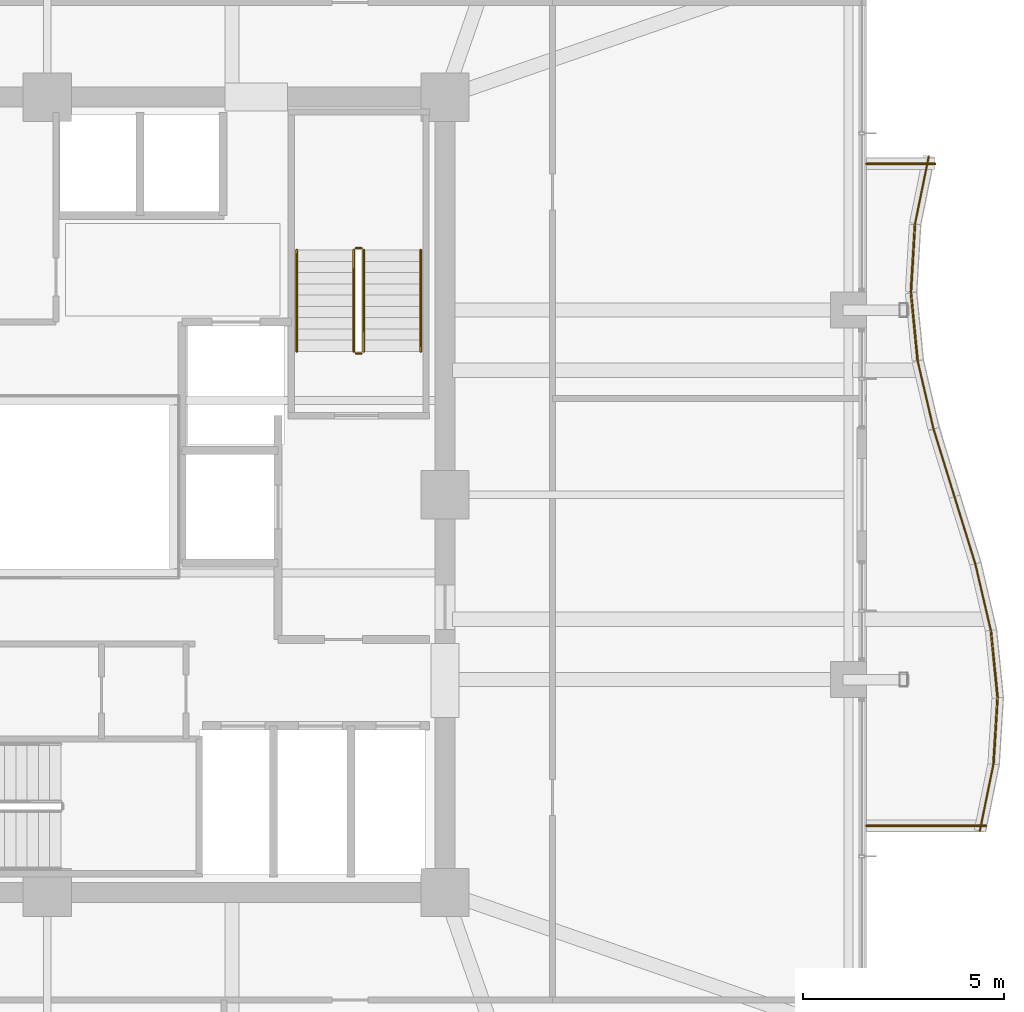
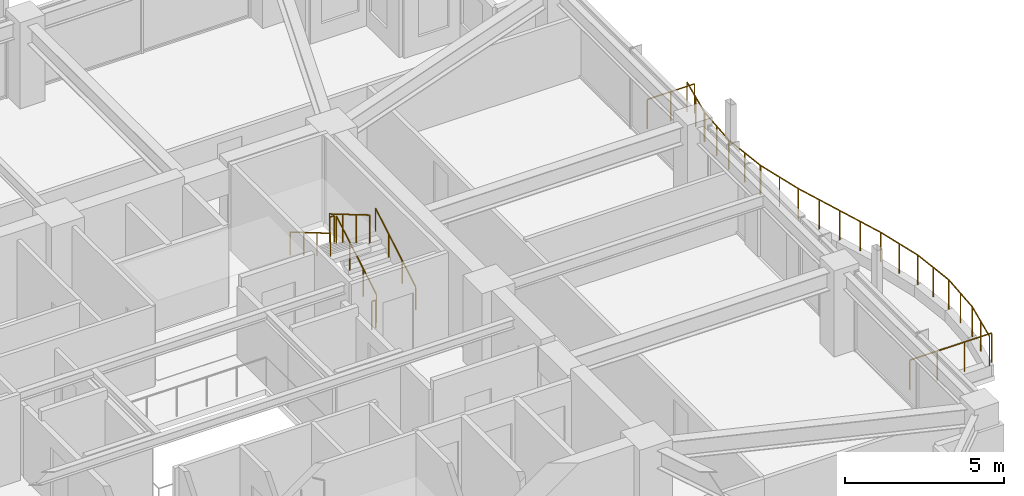
# One storey, part 35 of 35: 18 railings.
"""IFC4 building model written with IfcOpenShell, lengths in metres."""

from ifc_helpers import new_model, si_unit, direction, frame, origin, origin_2d, place, context, subcontext, project, spatial, circle, extrude, material, type_object, element, save


model = new_model("IFC4")

# Units and contexts
model_context = context("Model", 3, precision=1e-05, world=origin(), true_north=direction((0.0, 1.0)))
body_context = subcontext(model_context, "Body", "Model", "MODEL_VIEW")
ifc_project = project(units=[si_unit("LENGTHUNIT", "METRE"), si_unit("AREAUNIT", "SQUARE_METRE"), si_unit("VOLUMEUNIT", "CUBIC_METRE"), si_unit("PLANEANGLEUNIT", "RADIAN"), si_unit("MASSUNIT", "GRAM", prefix="KILO")], contexts=[model_context])

# Site, building, storey
site_placement = place(None, origin())
site = spatial("IfcSite", under=ifc_project, at=site_placement, CompositionType="ELEMENT")
building_placement = place(site_placement, origin())
building = spatial("IfcBuilding", under=site, at=building_placement, Name="Kolvaren Belvedere", CompositionType="ELEMENT")
storey_placement = place(building_placement, frame((0.0, 0.0, 183.300048828125)))
storey = spatial("IfcBuildingStorey", under=building, at=storey_placement, Name="L53", CompositionType="ELEMENT", Elevation=183.300048828125)

# Railings
ifc_material_1 = material(Name="Anodised pale-metal aluminium & laminated glass guard", Category="aluminium")
railing_type_1 = type_object("IfcRailingType", Name="RL-GUARD-1150", PredefinedType="GUARDRAIL", material=ifc_material_1)
railing_1_placement = place(storey_placement, frame((23.218017578125, -8.367919921875, 0.3798828125)))
element("IfcRailing", 1, at=railing_1_placement, inside=storey, type_object=railing_type_1, Name="L53 Exterior Deck Safety Guard BAL-E-1", PredefinedType="GUARDRAIL", context=body_context, shape_type="SweptSolid", body=[
    extrude(circle(Radius=0.02392578125, at=origin_2d()), frame((0.0, 0.0, 1.1259765625), z_axis=(0.199647526069, 0.979867779516, 0.0), x_axis=(-0.979867779516, 0.199647526069, 0.0)), (0.0, 0.0, 1.0), 1.71435546875),
    extrude(circle(Radius=0.02099609375, at=origin_2d()), origin(), (0.0, 0.0, 1.0), 1.101806640625),
    extrude(circle(Radius=0.02099609375, at=origin_2d()), frame((0.171142578125, 0.83984375, 0.0)), (0.0, 0.0, 1.0), 1.101806640625),
    extrude(circle(Radius=0.02099609375, at=origin_2d()), frame((0.34228515625, 1.679931640625, 0.0)), (0.0, 0.0, 1.0), 1.101806640625),
])
railing_2_placement = place(storey_placement, frame((23.5576171875, -6.710205078125, 0.3798828125)))
element("IfcRailing", 2, at=railing_2_placement, inside=storey, type_object=railing_type_1, Name="L53 Exterior Deck Safety Guard BAL-E-2", PredefinedType="GUARDRAIL", context=body_context, shape_type="SweptSolid", body=[
    extrude(circle(Radius=0.02392578125, at=origin_2d()), frame((0.0, 0.0, 1.1259765625), z_axis=(0.061068773295, 0.998133560666, 0.0), x_axis=(-0.998133560666, 0.061068773295, 0.0)), (0.0, 0.0, 1.0), 1.68310546875),
    extrude(circle(Radius=0.02099609375, at=origin_2d()), origin(), (0.0, 0.0, 1.0), 1.101806640625),
    extrude(circle(Radius=0.02099609375, at=origin_2d()), frame((0.05126953125, 0.83984375, 0.0)), (0.0, 0.0, 1.0), 1.101806640625),
    extrude(circle(Radius=0.02099609375, at=origin_2d()), frame((0.102783203125, 1.679931640625, 0.0)), (0.0, 0.0, 1.0), 1.101806640625),
])
railing_3_placement = place(storey_placement, frame((23.660888671875, -5.055908203125, 0.3798828125)))
element("IfcRailing", 3, at=railing_3_placement, inside=storey, type_object=railing_type_1, Name="L53 Exterior Deck Safety Guard BAL-E-3", PredefinedType="GUARDRAIL", context=body_context, shape_type="SweptSolid", body=[
    extrude(circle(Radius=0.02392578125, at=origin_2d()), frame((0.0, 0.0, 1.1259765625), z_axis=(-0.099632573776, 0.995024296308, 0.0), x_axis=(-0.995024296308, -0.099632573776, 0.0)), (0.0, 0.0, 1.0), 1.688232421875),
    extrude(circle(Radius=0.02099609375, at=origin_2d()), origin(), (0.0, 0.0, 1.0), 1.101806640625),
    extrude(circle(Radius=0.02099609375, at=origin_2d()), frame((-0.083984375, 0.83984375, 0.0)), (0.0, 0.0, 1.0), 1.101806640625),
    extrude(circle(Radius=0.02099609375, at=origin_2d()), frame((-0.168212890625, 1.679931640625, 0.0)), (0.0, 0.0, 1.0), 1.101806640625),
])
railing_4_placement = place(storey_placement, frame((23.49609375, -3.396240234375, 0.3798828125)))
element("IfcRailing", 4, at=railing_4_placement, inside=storey, type_object=railing_type_1, Name="L53 Exterior Deck Safety Guard BAL-E-4", PredefinedType="GUARDRAIL", context=body_context, shape_type="SweptSolid", body=[
    extrude(circle(Radius=0.02392578125, at=origin_2d()), frame((0.0, 0.0, 1.1259765625), z_axis=(-0.227019323824, 0.973890253884, 0.0), x_axis=(-0.973890253884, -0.227019323824, 0.0)), (0.0, 0.0, 1.0), 1.724853515625),
    extrude(circle(Radius=0.02099609375, at=origin_2d()), origin(), (0.0, 0.0, 1.0), 1.101806640625),
    extrude(circle(Radius=0.02099609375, at=origin_2d()), frame((-0.19580078125, 0.83984375, 0.0)), (0.0, 0.0, 1.0), 1.101806640625),
    extrude(circle(Radius=0.02099609375, at=origin_2d()), frame((-0.3916015625, 1.679931640625, 0.0)), (0.0, 0.0, 1.0), 1.101806640625),
])
railing_5_placement = place(storey_placement, frame((23.107421875, -1.727294921875, 0.3798828125)))
element("IfcRailing", 5, at=railing_5_placement, inside=storey, type_object=railing_type_1, Name="L53 Exterior Deck Safety Guard BAL-E-5", PredefinedType="GUARDRAIL", context=body_context, shape_type="SweptSolid", body=[
    extrude(circle(Radius=0.02392578125, at=origin_2d()), frame((0.0, 0.0, 1.1259765625), z_axis=(-0.295831524561, 0.95524013163, 0.0), x_axis=(-0.95524013163, -0.295831524561, 0.0)), (0.0, 0.0, 1.0), 1.758544921875),
    extrude(circle(Radius=0.02099609375, at=origin_2d()), origin(), (0.0, 0.0, 1.0), 1.101806640625),
    extrude(circle(Radius=0.02099609375, at=origin_2d()), frame((-0.26025390625, 0.83984375, 0.0)), (0.0, 0.0, 1.0), 1.101806640625),
    extrude(circle(Radius=0.02099609375, at=origin_2d()), frame((-0.520263671875, 1.679931640625, 0.0)), (0.0, 0.0, 1.0), 1.101806640625),
])
railing_6_placement = place(storey_placement, frame((22.587158203125, -0.04736328125, 0.3798828125)))
element("IfcRailing", 6, at=railing_6_placement, inside=storey, type_object=railing_type_1, Name="L53 Exterior Deck Safety Guard BAL-E-6", PredefinedType="GUARDRAIL", context=body_context, shape_type="SweptSolid", body=[
    extrude(circle(Radius=0.02392578125, at=origin_2d()), frame((0.0, 0.0, 1.1259765625), z_axis=(-0.29579229954, 0.955252278476, 0.0), x_axis=(-0.955252278476, -0.29579229954, 0.0)), (0.0, 0.0, 1.0), 1.7587890625),
    extrude(circle(Radius=0.02099609375, at=origin_2d()), origin(), (0.0, 0.0, 1.0), 1.101806640625),
    extrude(circle(Radius=0.02099609375, at=origin_2d()), frame((-0.26025390625, 0.840087890625, 0.0)), (0.0, 0.0, 1.0), 1.101806640625),
    extrude(circle(Radius=0.02099609375, at=origin_2d()), frame((-0.520263671875, 1.68017578125, 0.0)), (0.0, 0.0, 1.0), 1.101806640625),
])
railing_7_placement = place(storey_placement, frame((22.06396484375, 1.643798828125, 0.3798828125)))
element("IfcRailing", 7, at=railing_7_placement, inside=storey, type_object=railing_type_1, Name="L53 Exterior Deck Safety Guard BAL-E-7", PredefinedType="GUARDRAIL", context=body_context, shape_type="SweptSolid", body=[
    extrude(circle(Radius=0.02392578125, at=origin_2d()), frame((0.0, 0.0, 1.1259765625), z_axis=(-0.227019323824, 0.973890253884, 0.0), x_axis=(-0.973890253884, -0.227019323824, 0.0)), (0.0, 0.0, 1.0), 1.724853515625),
    extrude(circle(Radius=0.02099609375, at=origin_2d()), origin(), (0.0, 0.0, 1.0), 1.101806640625),
    extrude(circle(Radius=0.02099609375, at=origin_2d()), frame((-0.19580078125, 0.83984375, 0.0)), (0.0, 0.0, 1.0), 1.101806640625),
    extrude(circle(Radius=0.02099609375, at=origin_2d()), frame((-0.3916015625, 1.679931640625, 0.0)), (0.0, 0.0, 1.0), 1.101806640625),
])
railing_8_placement = place(storey_placement, frame((21.6689453125, 3.34423828125, 0.3798828125)))
element("IfcRailing", 8, at=railing_8_placement, inside=storey, type_object=railing_type_1, Name="L53 Exterior Deck Safety Guard BAL-E-8", PredefinedType="GUARDRAIL", context=body_context, shape_type="SweptSolid", body=[
    extrude(circle(Radius=0.02392578125, at=origin_2d()), frame((0.0, 0.0, 1.1259765625), z_axis=(-0.098329649867, 0.995153897624, 0.0), x_axis=(-0.995153897624, -0.098329649867, 0.0)), (0.0, 0.0, 1.0), 1.6884765625),
    extrude(circle(Radius=0.02099609375, at=origin_2d()), origin(), (0.0, 0.0, 1.0), 1.101806640625),
    extrude(circle(Radius=0.02099609375, at=origin_2d()), frame((-0.0830078125, 0.840087890625, 0.0)), (0.0, 0.0, 1.0), 1.101806640625),
    extrude(circle(Radius=0.02099609375, at=origin_2d()), frame((-0.166015625, 1.68017578125, 0.0)), (0.0, 0.0, 1.0), 1.101806640625),
])
railing_9_placement = place(storey_placement, frame((21.50244140625, 5.049560546875, 0.3798828125)))
element("IfcRailing", 9, at=railing_9_placement, inside=storey, type_object=railing_type_1, Name="L53 Exterior Deck Safety Guard BAL-E-9", PredefinedType="GUARDRAIL", context=body_context, shape_type="SweptSolid", body=[
    extrude(circle(Radius=0.02392578125, at=origin_2d()), frame((0.0, 0.0, 1.1259765625), z_axis=(0.059767979379, 0.998212296378, 0.0), x_axis=(-0.998212296378, 0.059767979379, 0.0)), (0.0, 0.0, 1.0), 1.682861328125),
    extrude(circle(Radius=0.02099609375, at=origin_2d()), origin(), (0.0, 0.0, 1.0), 1.101806640625),
    extrude(circle(Radius=0.02099609375, at=origin_2d()), frame((0.05029296875, 0.83984375, 0.0)), (0.0, 0.0, 1.0), 1.101806640625),
    extrude(circle(Radius=0.02099609375, at=origin_2d()), frame((0.1005859375, 1.679931640625, 0.0)), (0.0, 0.0, 1.0), 1.101806640625),
])
railing_10_placement = place(storey_placement, frame((21.60595703125, 6.751953125, 0.3798828125)))
element("IfcRailing", 10, at=railing_10_placement, inside=storey, type_object=railing_type_1, Name="L53 Exterior Deck Safety Guard BAL-E-10", PredefinedType="GUARDRAIL", context=body_context, shape_type="SweptSolid", body=[
    extrude(circle(Radius=0.02392578125, at=origin_2d()), frame((0.0, 0.0, 1.1259765625), z_axis=(0.199784246163, 0.979839912937, 0.0), x_axis=(-0.979839912937, 0.199784246163, 0.0)), (0.0, 0.0, 1.0), 1.714599609375),
    extrude(circle(Radius=0.02099609375, at=origin_2d()), origin(), (0.0, 0.0, 1.0), 1.101806640625),
    extrude(circle(Radius=0.02099609375, at=origin_2d()), frame((0.17138671875, 0.83984375, 0.0)), (0.0, 0.0, 1.0), 1.101806640625),
    extrude(circle(Radius=0.02099609375, at=origin_2d()), frame((0.342529296875, 1.679931640625, 0.0)), (0.0, 0.0, 1.0), 1.101806640625),
])
railing_11_placement = place(storey_placement, frame((22.105224609375, 8.239990234375, 0.3798828125)))
element("IfcRailing", 11, at=railing_11_placement, inside=storey, type_object=railing_type_1, Name="L53 Exterior Deck Safety Guard BAL-E-11", PredefinedType="GUARDRAIL", context=body_context, shape_type="SweptSolid", body=[
    extrude(circle(Radius=0.02392578125, at=origin_2d()), frame((0.0, 0.0, 1.1259765625), z_axis=(-1.0, 0.0, 0.0), x_axis=(0.0, -1.0, 0.0)), (0.0, 0.0, 1.0), 1.705322265625),
    extrude(circle(Radius=0.02099609375, at=origin_2d()), origin(), (0.0, 0.0, 1.0), 1.101806640625),
    extrude(circle(Radius=0.02099609375, at=origin_2d()), frame((-0.8525390625, 0.0, 0.0)), (0.0, 0.0, 1.0), 1.101806640625),
    extrude(circle(Radius=0.02099609375, at=origin_2d()), frame((-1.705322265625, 0.0, 0.0)), (0.0, 0.0, 1.0), 1.101806640625),
])
railing_12_placement = place(storey_placement, frame((20.39990234375, -8.239990234375, 0.3798828125)))
element("IfcRailing", 12, at=railing_12_placement, inside=storey, type_object=railing_type_1, Name="L53 Exterior Deck Safety Guard BAL-E-22", PredefinedType="GUARDRAIL", context=body_context, shape_type="SweptSolid", body=[
    extrude(circle(Radius=0.02392578125, at=origin_2d()), frame((0.0, 0.0, 1.1259765625), z_axis=(1.0, 0.0, 0.0), x_axis=(0.0, 1.0, 0.0)), (0.0, 0.0, 1.0), 2.974853515625),
    extrude(circle(Radius=0.02099609375, at=origin_2d()), origin(), (0.0, 0.0, 1.0), 1.101806640625),
    extrude(circle(Radius=0.02099609375, at=origin_2d()), frame((0.99169921875, 0.0, 0.0)), (0.0, 0.0, 1.0), 1.101806640625),
    extrude(circle(Radius=0.02099609375, at=origin_2d()), frame((1.983154296875, 0.0, 0.0)), (0.0, 0.0, 1.0), 1.101806640625),
    extrude(circle(Radius=0.02099609375, at=origin_2d()), frame((2.974853515625, 0.0, 0.0)), (0.0, 0.0, 1.0), 1.101806640625),
])
ifc_material_2 = material(Name="Brushed stainless-steel handrail", Category="steel")
railing_type_2 = type_object("IfcRailingType", Name="RL-HANDRAIL-920", PredefinedType="HANDRAIL", material=ifc_material_2)
railing_13_placement = place(storey_placement, frame((9.300048828125, 3.570068359375, 0.1650390625)))
element("IfcRailing", 13, at=railing_13_placement, inside=storey, type_object=railing_type_2, Name="L53 ST-2 stair handrail 1", PredefinedType="HANDRAIL", context=body_context, shape_type="SweptSolid", body=[
    extrude(circle(Radius=0.02392578125, at=origin_2d()), frame((0.0, 0.0, 0.8759765625), z_axis=(0.0, 0.861560626758, 0.507654692109), x_axis=(-1.0, 0.0, 0.0)), (0.0, 0.0, 1.0), 2.925048828125),
    extrude(circle(Radius=0.02099609375, at=origin_2d()), origin(), (0.0, 0.0, 1.0), 0.851806640625),
    extrude(circle(Radius=0.02099609375, at=origin_2d()), frame((0.0, 0.840087890625, 0.494873046875)), (0.0, 0.0, 1.0), 0.851806640625),
    extrude(circle(Radius=0.02099609375, at=origin_2d()), frame((0.0, 1.679931640625, 0.989990234375)), (0.0, 0.0, 1.0), 0.851806640625),
    extrude(circle(Radius=0.02099609375, at=origin_2d()), frame((0.0, 2.52001953125, 1.48486328125)), (0.0, 0.0, 1.0), 0.851806640625),
])
railing_14_placement = place(storey_placement, frame((6.2099609375, 6.090087890625, 1.81494140625)))
element("IfcRailing", 14, at=railing_14_placement, inside=storey, type_object=railing_type_2, Name="L53 ST-2 stair handrail 2", PredefinedType="HANDRAIL", context=body_context, shape_type="SweptSolid", body=[
    extrude(circle(Radius=0.02392578125, at=origin_2d()), frame((0.0, 0.0, 0.8759765625), z_axis=(0.0, -0.86152411907, 0.507716645641), x_axis=(1.0, 0.0, 0.0)), (0.0, 0.0, 1.0), 2.925048828125),
    extrude(circle(Radius=0.02099609375, at=origin_2d()), origin(), (0.0, 0.0, 1.0), 0.851806640625),
    extrude(circle(Radius=0.02099609375, at=origin_2d()), frame((0.0, -0.840087890625, 0.4951171875)), (0.0, 0.0, 1.0), 0.851806640625),
    extrude(circle(Radius=0.02099609375, at=origin_2d()), frame((0.0, -1.679931640625, 0.989990234375)), (0.0, 0.0, 1.0), 0.851806640625),
    extrude(circle(Radius=0.02099609375, at=origin_2d()), frame((0.0, -2.52001953125, 1.485107421875)), (0.0, 0.0, 1.0), 0.851806640625),
])
ifc_material_3 = material(Name="Painted tubular steel stair guard", Category="steel")
railing_type_3 = type_object("IfcRailingType", Name="RL-STGUARD-1100", PredefinedType="GUARDRAIL", material=ifc_material_3)
railing_15_placement = place(storey_placement, frame((7.8798828125, 3.570068359375, 0.1650390625)))
element("IfcRailing", 15, at=railing_15_placement, inside=storey, type_object=railing_type_3, Name="L53 ST-2 stair guard 1", PredefinedType="GUARDRAIL", context=body_context, shape_type="SweptSolid", body=[
    extrude(circle(Radius=0.02392578125, at=origin_2d()), frame((0.0, 0.0, 1.076171875), z_axis=(0.0, 0.861560626758, 0.507654692109), x_axis=(-1.0, 0.0, 0.0)), (0.0, 0.0, 1.0), 2.925048828125),
    extrude(circle(Radius=0.02099609375, at=origin_2d()), origin(), (0.0, 0.0, 1.0), 1.052001953125),
    extrude(circle(Radius=0.02099609375, at=origin_2d()), frame((0.0, 0.840087890625, 0.494873046875)), (0.0, 0.0, 1.0), 1.052001953125),
    extrude(circle(Radius=0.02099609375, at=origin_2d()), frame((0.0, 1.679931640625, 0.989990234375)), (0.0, 0.0, 1.0), 1.052001953125),
    extrude(circle(Radius=0.02099609375, at=origin_2d()), frame((0.0, 2.52001953125, 1.48486328125)), (0.0, 0.0, 1.0), 1.052001953125),
])
railing_16_placement = place(storey_placement, frame((7.830078125, 6.139892578125, 1.64990234375)))
element("IfcRailing", 16, at=railing_16_placement, inside=storey, type_object=railing_type_3, Name="L53 ST-2 stair guard 2", PredefinedType="GUARDRAIL", context=body_context, shape_type="SweptSolid", body=[
    extrude(circle(Radius=0.02392578125, at=origin_2d()), frame((0.0, 0.0, 1.076171875), z_axis=(-1.0, 0.0, 0.0), x_axis=(0.0, -1.0, 0.0)), (0.0, 0.0, 1.0), 0.150146484375),
    extrude(circle(Radius=0.02099609375, at=origin_2d()), origin(), (0.0, 0.0, 1.0), 1.052001953125),
    extrude(circle(Radius=0.02099609375, at=origin_2d()), frame((-0.150146484375, 0.0, 0.0)), (0.0, 0.0, 1.0), 1.052001953125),
])
railing_17_placement = place(storey_placement, frame((7.6298828125, 6.090087890625, 1.81494140625)))
element("IfcRailing", 17, at=railing_17_placement, inside=storey, type_object=railing_type_3, Name="L53 ST-2 stair guard 3", PredefinedType="GUARDRAIL", context=body_context, shape_type="SweptSolid", body=[
    extrude(circle(Radius=0.02392578125, at=origin_2d()), frame((0.0, 0.0, 1.076171875), z_axis=(0.0, -0.86152411907, 0.507716645641), x_axis=(1.0, 0.0, 0.0)), (0.0, 0.0, 1.0), 2.925048828125),
    extrude(circle(Radius=0.02099609375, at=origin_2d()), origin(), (0.0, 0.0, 1.0), 1.052001953125),
    extrude(circle(Radius=0.02099609375, at=origin_2d()), frame((0.0, -0.840087890625, 0.4951171875)), (0.0, 0.0, 1.0), 1.052001953125),
    extrude(circle(Radius=0.02099609375, at=origin_2d()), frame((0.0, -1.679931640625, 0.989990234375)), (0.0, 0.0, 1.0), 1.052001953125),
    extrude(circle(Radius=0.02099609375, at=origin_2d()), frame((0.0, -2.52001953125, 1.485107421875)), (0.0, 0.0, 1.0), 1.052001953125),
])
railing_18_placement = place(storey_placement, frame((7.830078125, 3.52001953125, 0.0)))
element("IfcRailing", 18, at=railing_18_placement, inside=storey, type_object=railing_type_3, Name="L53 ST-2 stair guard 4", PredefinedType="GUARDRAIL", context=body_context, shape_type="SweptSolid", body=[
    extrude(circle(Radius=0.02392578125, at=origin_2d()), frame((0.0, 0.0, 1.076171875), z_axis=(-1.0, 0.0, 0.0), x_axis=(0.0, -1.0, 0.0)), (0.0, 0.0, 1.0), 0.150146484375),
    extrude(circle(Radius=0.02099609375, at=origin_2d()), origin(), (0.0, 0.0, 1.0), 1.052001953125),
    extrude(circle(Radius=0.02099609375, at=origin_2d()), frame((-0.150146484375, 0.0, 0.0)), (0.0, 0.0, 1.0), 1.052001953125),
])

save(model, "model.ifc")
